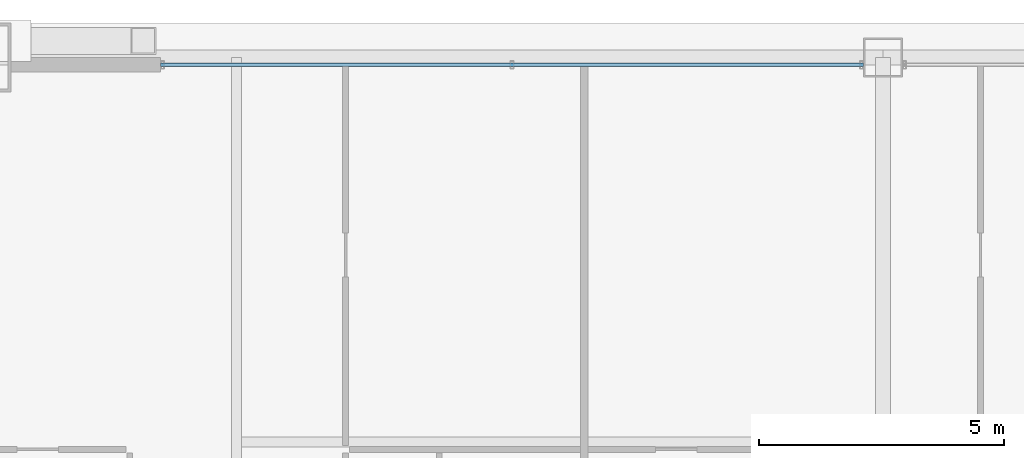
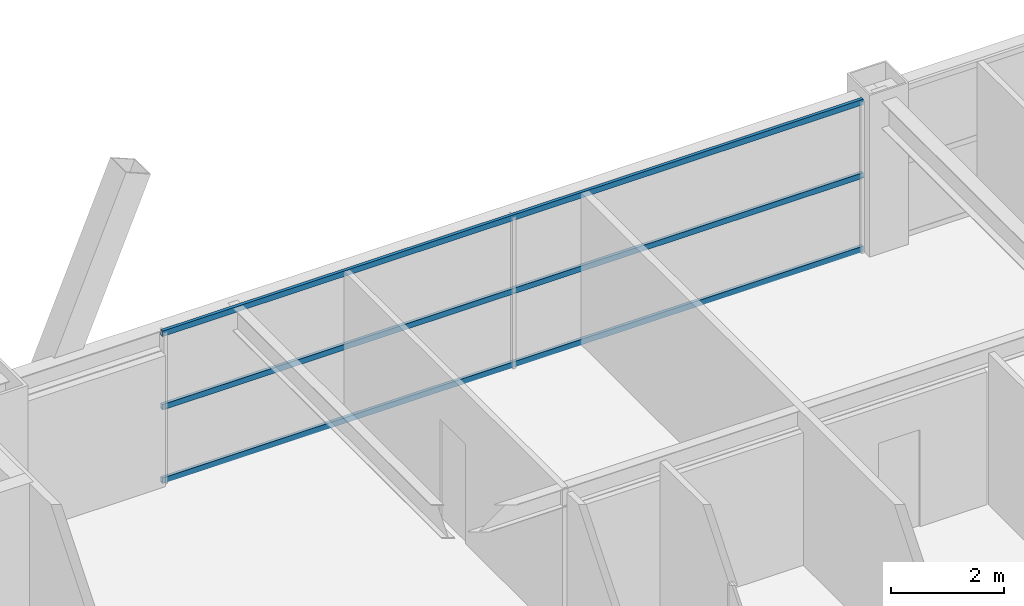
# One storey, part 30 of 42: 3 members, 1 element without a shape of its own.
"""IFC4 building model written with IfcOpenShell, lengths in metres."""

from ifc_helpers import new_model, si_unit, direction, frame, origin, origin_2d, place, context, subcontext, project, spatial, hollow_rectangle, extrude, source, transform, mapped, material, layer, layer_set, material_profile, profile_set, type_object, element, aggregate, save


model = new_model("IFC4")

# Units and contexts
model_context = context("Model", 3, precision=1e-05, world=origin(), true_north=direction((0.0, 1.0)))
body_context = subcontext(model_context, "Body", "Model", "MODEL_VIEW")
ifc_project = project(units=[si_unit("LENGTHUNIT", "METRE"), si_unit("AREAUNIT", "SQUARE_METRE"), si_unit("VOLUMEUNIT", "CUBIC_METRE"), si_unit("PLANEANGLEUNIT", "RADIAN"), si_unit("MASSUNIT", "GRAM", prefix="KILO"), si_unit("THERMODYNAMICTEMPERATUREUNIT", "KELVIN"), si_unit("POWERUNIT", "WATT")], contexts=[model_context])

# Site, building, storey
site_placement = place(None, origin())
site = spatial("IfcSite", under=ifc_project, at=site_placement, CompositionType="ELEMENT")
building_placement = place(site_placement, origin())
building = spatial("IfcBuilding", under=site, at=building_placement, Name="Yuzanri Waterfront Tower", CompositionType="ELEMENT")
storey_placement = place(building_placement, frame((0.0, 0.0, 205.5)))
storey = spatial("IfcBuildingStorey", under=building, at=storey_placement, Name="L54", CompositionType="ELEMENT", Elevation=205.5)

# Curtain wall, members
ifc_material_1 = material(Name="Anodized Architectural Bronze", Category="metal")
ifc_layer = layer(ifc_material_1, 0.159912109375)
ifc_layer_set = layer_set([ifc_layer], Name="Anodized Architectural Bronze")
curtain_wall_type = type_object("IfcCurtainWallType", Name="Anodized Bronze Mid-Rise Residential Acoustic Unitized Curtain Wall 7200", PredefinedType="NOTDEFINED", material=ifc_layer_set)
curtain_wall_placement = place(storey_placement, origin())
curtain_wall = element("IfcCurtainWall", 1, at=curtain_wall_placement, inside=storey, type_object=curtain_wall_type, Name="L54 Curtain Wall CW-L54-NL", PredefinedType="NOTDEFINED")
ifc_material_2 = material(Name="Anodized Architectural Bronze", Category="metal")
ifc_material_profile = material_profile(ifc_material_2, hollow_rectangle(XDim=0.06494140625, YDim=0.1201171875, WallThickness=0.00341796875, at=origin_2d()), Name="CWT 65x120")
ifc_profile_set = profile_set([ifc_material_profile], Name="Anodized Architectural Bronze")
member_type = type_object("IfcMemberType", Name="Anodized Bronze Secondary Curtain-Wall Transom 65x120", PredefinedType="USERDEFINED", material=ifc_profile_set)
shared_shape = source(origin(), body_context, "Body", "SweptSolid", [
    extrude(hollow_rectangle(XDim=0.06494140625, YDim=0.1201171875, WallThickness=0.00341796875, at=origin_2d()), origin(), (0.0, 0.0, 1.0), 14.35009765625),
])
member_1_placement = place(storey_placement, frame((22.25, 47.75, 0.050048828125), z_axis=(1.0, 0.0, 0.0), x_axis=(0.0, 1.0, 0.0)))
member_1 = element("IfcMember", 2, at=member_1_placement, type_object=member_type, Name="CW-L54-NL Transom 1", ObjectType="TRANSOM", PredefinedType="USERDEFINED", context=body_context, shape_type="MappedRepresentation", body=[
    mapped(shared_shape, transform((0.0, 0.0, 0.0), scale=1.0)),
])
member_2_placement = place(storey_placement, frame((22.25, 47.75, 1.639892578125), z_axis=(1.0, 0.0, 0.0), x_axis=(0.0, 1.0, 0.0)))
member_2 = element("IfcMember", 3, at=member_2_placement, type_object=member_type, Name="CW-L54-NL Transom 2", ObjectType="TRANSOM", PredefinedType="USERDEFINED", context=body_context, shape_type="MappedRepresentation", body=[
    mapped(shared_shape, transform((0.0, 0.0, 0.0), scale=1.0)),
])
member_3_placement = place(storey_placement, frame((22.25, 47.75, 3.22998046875), z_axis=(1.0, 0.0, 0.0), x_axis=(0.0, 1.0, 0.0)))
member_3 = element("IfcMember", 4, at=member_3_placement, type_object=member_type, Name="CW-L54-NL Transom 3", ObjectType="TRANSOM", PredefinedType="USERDEFINED", context=body_context, shape_type="MappedRepresentation", body=[
    mapped(shared_shape, transform((0.0, 0.0, 0.0), scale=1.0)),
])
aggregate(curtain_wall, [member_1, member_2, member_3])

save(model, "model.ifc")
